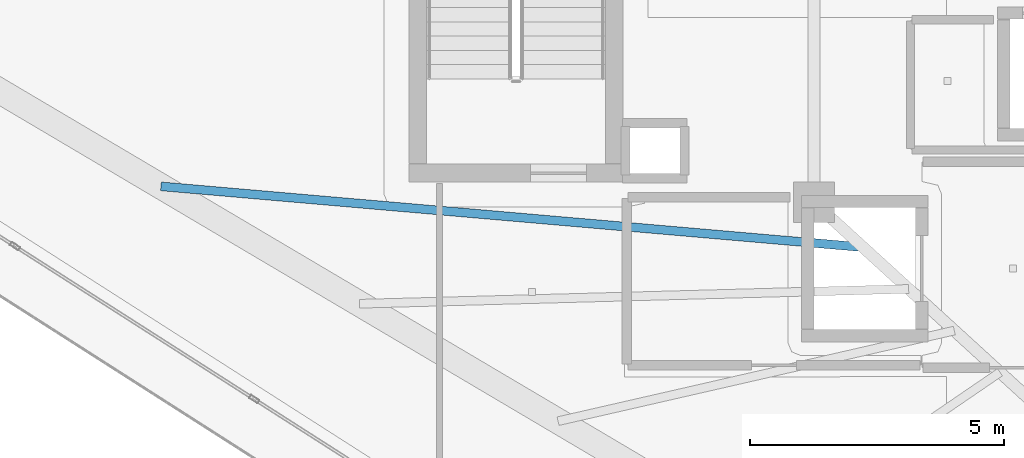
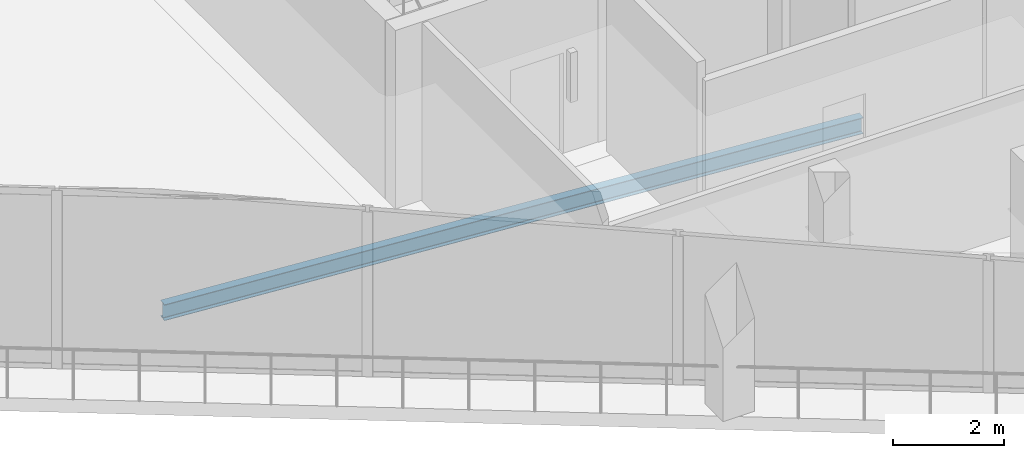
# One storey, part 7 of 34: 1 beam.
"""IFC4 building model written with IfcOpenShell, lengths in metres."""

from ifc_helpers import new_model, si_unit, direction, frame, origin, origin_2d, place, context, subcontext, project, spatial, i_section, extrude, material, material_profile, profile_set, type_object, element, save


model = new_model("IFC4")

# Units and contexts
model_context = context("Model", 3, precision=1e-05, world=origin(), true_north=direction((0.0, 1.0)))
body_context = subcontext(model_context, "Body", "Model", "MODEL_VIEW")
ifc_project = project(units=[si_unit("LENGTHUNIT", "METRE"), si_unit("AREAUNIT", "SQUARE_METRE"), si_unit("VOLUMEUNIT", "CUBIC_METRE"), si_unit("PLANEANGLEUNIT", "RADIAN"), si_unit("MASSUNIT", "GRAM", prefix="KILO")], contexts=[model_context])

# Site, building, storey
site_placement = place(None, origin())
site = spatial("IfcSite", under=ifc_project, at=site_placement, CompositionType="ELEMENT")
building_placement = place(site_placement, origin())
building = spatial("IfcBuilding", under=site, at=building_placement, Name="Qorvath Tower", CompositionType="ELEMENT")
storey_placement = place(building_placement, frame((0.0, 0.0, 268.199951171875)))
storey = spatial("IfcBuildingStorey", under=building, at=storey_placement, Name="L62", CompositionType="ELEMENT", Elevation=268.199951171875)

# Beam
ifc_material = material(Name="Steel ASTM A992 Grade 50", Category="steel")
ifc_material_profile = material_profile(ifc_material, i_section(OverallWidth=0.1708984375, OverallDepth=0.35107421875, WebThickness=0.0068359375, FlangeThickness=0.009765625, FilletRadius=0.010009765625, at=origin_2d()), Name="W14x30")
ifc_profile_set = profile_set([ifc_material_profile], Name="Steel ASTM A992 Grade 50")
beam_type = type_object("IfcBeamType", Name="BM-FJ4", PredefinedType="JOIST", material=ifc_profile_set)
beam_placement = place(storey_placement, frame((-29.533935546875, -6.031982421875, -0.465576171875), z_axis=(-0.996257895131, 0.086430355719, 0.0), x_axis=(-0.086430355719, -0.996257895131, 0.0)))
element("IfcBeam", 1, at=beam_placement, inside=storey, type_object=beam_type, Name="Composite Floor Joist SW1 L62", PredefinedType="JOIST", context=body_context, shape_type="SweptSolid", body=[
    extrude(i_section(OverallWidth=0.1708984375, OverallDepth=0.35107421875, WebThickness=0.0068359375, FlangeThickness=0.009765625, FilletRadius=0.010009765625, at=origin_2d()), origin(), (0.0, 0.0, 1.0), 13.852294921875),
])

save(model, "model.ifc")
